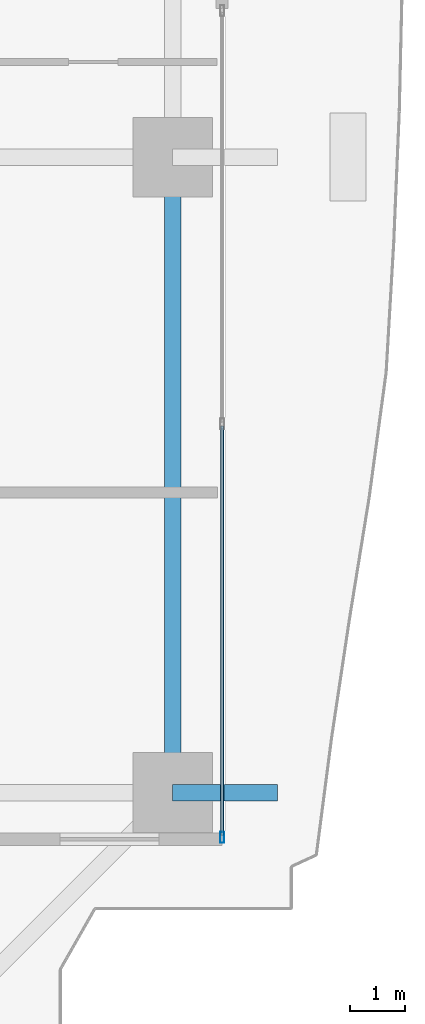
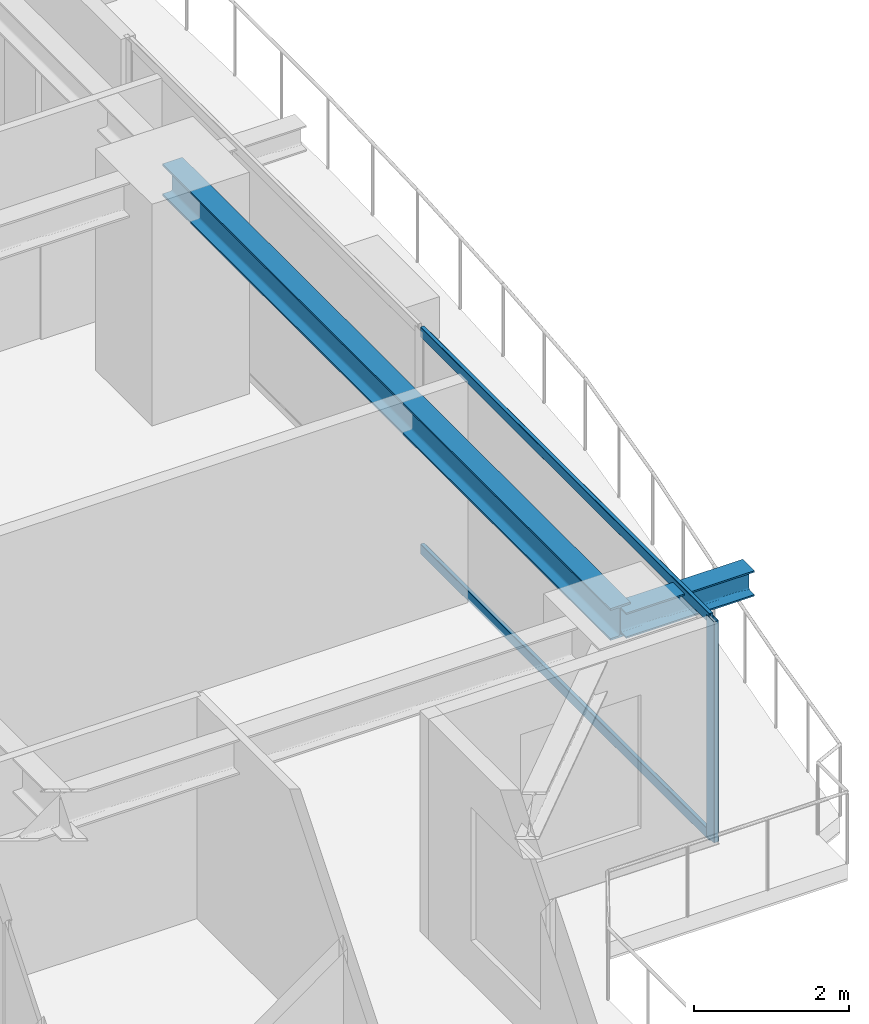
# One storey, part 12 of 39: 3 members, 2 beams, 1 element without a shape of its own.
"""IFC4 building model written with IfcOpenShell, lengths in metres."""

from ifc_helpers import new_model, si_unit, direction, frame, origin, origin_2d, place, context, subcontext, project, spatial, hollow_rectangle, i_section, extrude, source, transform, mapped, material, layer, layer_set, material_profile, profile_set, type_object, element, aggregate, save


model = new_model("IFC4")

# Units and contexts
model_context = context("Model", 3, precision=1e-05, world=origin(), true_north=direction((0.0, 1.0)))
body_context = subcontext(model_context, "Body", "Model", "MODEL_VIEW")
ifc_project = project(units=[si_unit("LENGTHUNIT", "METRE"), si_unit("AREAUNIT", "SQUARE_METRE"), si_unit("VOLUMEUNIT", "CUBIC_METRE"), si_unit("PLANEANGLEUNIT", "RADIAN"), si_unit("MASSUNIT", "GRAM", prefix="KILO")], contexts=[model_context])

# Site, building, storey
site_placement = place(None, origin())
site = spatial("IfcSite", under=ifc_project, at=site_placement, CompositionType="ELEMENT")
building_placement = place(site_placement, origin())
building = spatial("IfcBuilding", under=site, at=building_placement, Name="Serunith Strait Residences", CompositionType="ELEMENT")
storey_placement = place(building_placement, frame((0.0, 0.0, 97.949951171875)))
storey = spatial("IfcBuildingStorey", under=building, at=storey_placement, Name="L24", CompositionType="ELEMENT", Elevation=97.949951171875)

# Beams
ifc_material_1 = material(Name="Steel S355J2", Category="steel")
ifc_material_profile_1 = material_profile(ifc_material_1, i_section(OverallWidth=0.300048828125, OverallDepth=0.5, WebThickness=0.014404296875, FlangeThickness=0.028076171875, FilletRadius=0.027099609375, at=origin_2d()), Name="HEB 500")
ifc_profile_set_1 = profile_set([ifc_material_profile_1], Name="Steel S355J2")
beam_type_1 = type_object("IfcBeamType", Name="BM-HEB500", PredefinedType="BEAM", material=ifc_profile_set_1)
shared_shape_1 = source(origin(), body_context, "Body", "SweptSolid", [
    extrude(i_section(OverallWidth=0.300048828125, OverallDepth=0.5, WebThickness=0.014404296875, FlangeThickness=0.028076171875, FilletRadius=0.027099609375, at=origin_2d()), origin(), (0.0, 0.0, 1.0), 11.550048828125),
])
beam_1_placement = place(storey_placement, frame((57.89990234375, 9.449951171875, 3.237060546875), z_axis=(0.0, 1.0, 0.0), x_axis=(-1.0, 0.0, 0.0)))
element("IfcBeam", 1, at=beam_1_placement, inside=storey, type_object=beam_type_1, Name="L24 Perimeter Ring Beam 05", PredefinedType="BEAM", context=body_context, shape_type="MappedRepresentation", body=[
    mapped(shared_shape_1, transform((0.0, 0.0, 0.0), scale=1.0)),
])
ifc_material_profile_2 = material_profile(ifc_material_1, i_section(OverallWidth=0.300048828125, OverallDepth=0.39990234375, WebThickness=0.013427734375, FlangeThickness=0.02392578125, FilletRadius=0.027099609375, at=origin_2d()), Name="HEB 400")
ifc_profile_set_2 = profile_set([ifc_material_profile_2], Name="Steel S355J2")
beam_type_2 = type_object("IfcBeamType", Name="BM-HEB400", PredefinedType="BEAM", material=ifc_profile_set_2)
shared_shape_2 = source(origin(), body_context, "Body", "SweptSolid", [
    extrude(i_section(OverallWidth=0.300048828125, OverallDepth=0.39990234375, WebThickness=0.013427734375, FlangeThickness=0.02392578125, FilletRadius=0.027099609375, at=origin_2d()), origin(), (0.0, 0.0, 1.0), 1.91015625),
])
beam_2_placement = place(storey_placement, frame((57.89990234375, 9.449951171875, 3.257080078125), z_axis=(1.0, 0.0, 0.0), x_axis=(0.0, 1.0, 0.0)))
element("IfcBeam", 2, at=beam_2_placement, inside=storey, type_object=beam_type_2, Name="L25 Cantilevered Balcony Rib TC-E1", PredefinedType="BEAM", context=body_context, shape_type="MappedRepresentation", body=[
    mapped(shared_shape_2, transform((0.0, 0.0, 0.0), scale=1.0)),
])

# Curtain wall, members
ifc_material_2 = material(Name="Pale-Champagne Anodised Aluminium", Category="aluminium")
ifc_layer = layer(ifc_material_2, 0.199951171875, Name="Pale-Champagne Anodised Aluminium")
ifc_layer_set = layer_set([ifc_layer], Name="Pale-Champagne Anodised Aluminium")
curtain_wall_type = type_object("IfcCurtainWallType", Name="CW-SYS1", PredefinedType="NOTDEFINED", material=ifc_layer_set)
curtain_wall_placement = place(storey_placement, origin())
curtain_wall = element("IfcCurtainWall", 3, at=curtain_wall_placement, inside=storey, type_object=curtain_wall_type, Name="L24 E Unitised Fritted Curtain Wall", PredefinedType="NOTDEFINED")
ifc_material_profile_3 = material_profile(ifc_material_2, hollow_rectangle(XDim=0.070068359375, YDim=0.199951171875, WallThickness=0.00390625, InnerFilletRadius=0.006103515625, OuterFilletRadius=0.010009765625, at=origin_2d()), Name="ALU 200x70x4")
ifc_profile_set_3 = profile_set([ifc_material_profile_3], Name="Pale-Champagne Anodised Aluminium")
member_type_1 = type_object("IfcMemberType", Name="CW-SYS1-MULL", PredefinedType="MULLION", material=ifc_profile_set_3)
shared_shape_3 = source(origin(), body_context, "Body", "SweptSolid", [
    extrude(hollow_rectangle(XDim=0.070068359375, YDim=0.199951171875, WallThickness=0.00390625, InnerFilletRadius=0.006103515625, OuterFilletRadius=0.010009765625, at=origin_2d()), origin(), (0.0, 0.0, 1.0), 3.47509765625),
])
member_1_placement = place(storey_placement, frame((58.800048828125, 8.635009765625, 0.0), z_axis=(0.0, 0.0, 1.0), x_axis=(-1.0, 0.0, 0.0)))
member_1 = element("IfcMember", 4, at=member_1_placement, type_object=member_type_1, Name="CW-1 mullion 1", PredefinedType="MULLION", context=body_context, shape_type="MappedRepresentation", body=[
    mapped(shared_shape_3, transform((0.0, 0.0, 0.0), scale=1.0)),
])
ifc_material_profile_4 = material_profile(ifc_material_2, hollow_rectangle(XDim=0.06005859375, YDim=0.159912109375, WallThickness=0.00341796875, InnerFilletRadius=0.00537109375, OuterFilletRadius=0.0087890625, at=origin_2d()), Name="ALU 160x60x3.5")
ifc_profile_set_4 = profile_set([ifc_material_profile_4], Name="Pale-Champagne Anodised Aluminium")
member_type_2 = type_object("IfcMemberType", Name="CW-SYS1-TRAN", PredefinedType="USERDEFINED", material=ifc_profile_set_4)
shared_shape_4 = source(origin(), body_context, "Body", "SweptSolid", [
    extrude(hollow_rectangle(XDim=0.06005859375, YDim=0.159912109375, WallThickness=0.00341796875, InnerFilletRadius=0.00537109375, OuterFilletRadius=0.0087890625, at=origin_2d()), origin(), (0.0, 0.0, 1.0), 7.445068359375),
])
member_2_placement = place(storey_placement, frame((58.800048828125, 8.669921875, 0.030029296875), z_axis=(0.0, 1.0, 0.0), x_axis=(-1.0, 0.0, 0.0)))
member_2 = element("IfcMember", 5, at=member_2_placement, type_object=member_type_2, Name="CW-1 transom 1.1", ObjectType="TRANSOM", PredefinedType="USERDEFINED", context=body_context, shape_type="MappedRepresentation", body=[
    mapped(shared_shape_4, transform((0.0, 0.0, 0.0), scale=1.0)),
])
member_3_placement = place(storey_placement, frame((58.800048828125, 8.669921875, 3.445068359375), z_axis=(0.0, 1.0, 0.0), x_axis=(-1.0, 0.0, 0.0)))
member_3 = element("IfcMember", 6, at=member_3_placement, type_object=member_type_2, Name="CW-1 transom 1.2", ObjectType="TRANSOM", PredefinedType="USERDEFINED", context=body_context, shape_type="MappedRepresentation", body=[
    mapped(shared_shape_4, transform((0.0, 0.0, 0.0), scale=1.0)),
])
aggregate(curtain_wall, [member_1, member_2, member_3])

save(model, "model.ifc")
